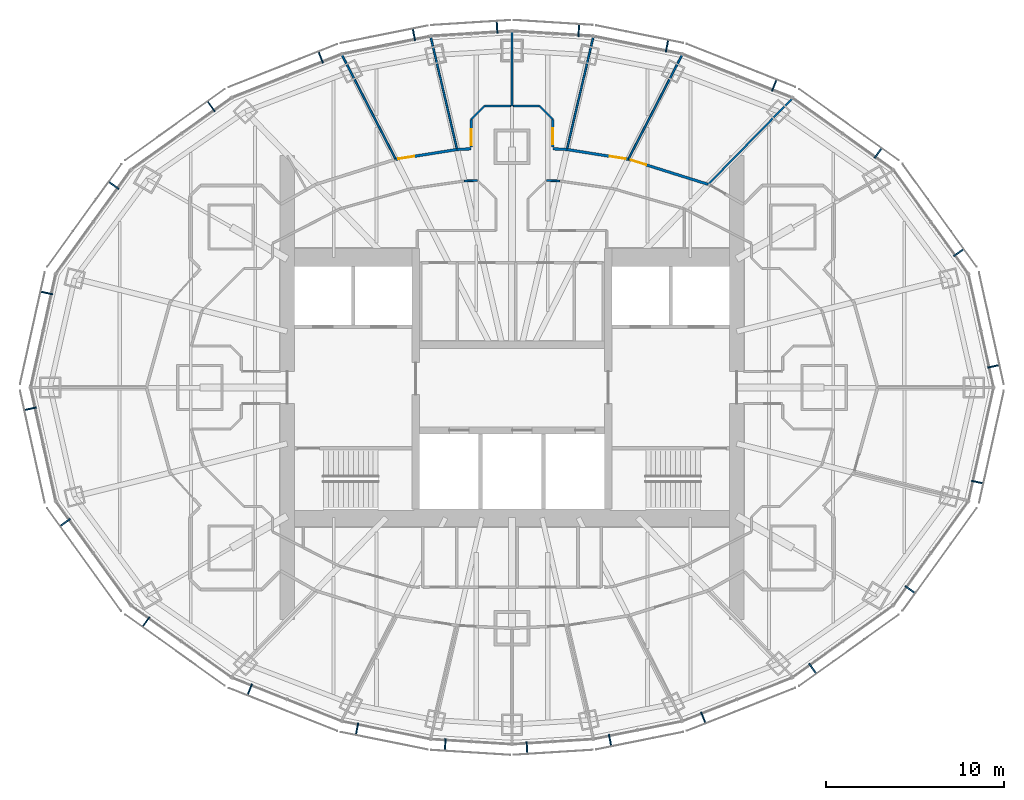
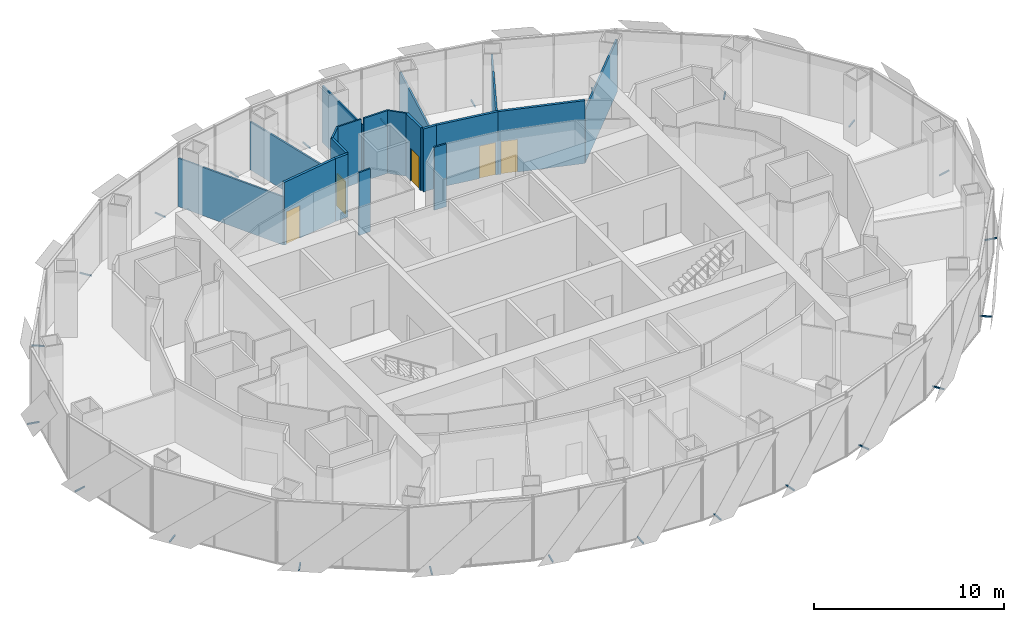
# One storey, part 15 of 18: 24 discrete accessories, 19 walls, 5 doors, 5 openings.
"""IFC4 building model written with IfcOpenShell, lengths in metres."""

from ifc_helpers import new_model, si_unit, direction, frame, frame_2d, origin, origin_2d, place, context, subcontext, project, spatial, rectangle, extrude, material, layer, layer_set, type_object, element, fill, save


model = new_model("IFC4")

# Units and contexts
model_context = context("Model", 3, precision=1e-05, world=origin(), true_north=direction((0.0, 1.0)))
body_context = subcontext(model_context, "Body", "Model", "MODEL_VIEW")
ifc_project = project(units=[si_unit("LENGTHUNIT", "METRE"), si_unit("AREAUNIT", "SQUARE_METRE"), si_unit("VOLUMEUNIT", "CUBIC_METRE"), si_unit("PLANEANGLEUNIT", "RADIAN"), si_unit("MASSUNIT", "GRAM", prefix="KILO")], contexts=[model_context])

# Site, building, storey
site_placement = place(None, origin())
site = spatial("IfcSite", under=ifc_project, at=site_placement, CompositionType="ELEMENT")
building_placement = place(site_placement, origin())
building = spatial("IfcBuilding", under=site, at=building_placement, Name="Lantaw Convention Tower", CompositionType="ELEMENT")
storey_placement = place(building_placement, frame((0.0, 0.0, 228.39990234375)))
storey = spatial("IfcBuildingStorey", under=building, at=storey_placement, Name="L53", CompositionType="ELEMENT", Elevation=228.39990234375)

# Wall, opening, door
ifc_material_1 = material(Name="Gypsum board on steel studs, fire rated", Category="steel")
ifc_layer_1 = layer(ifc_material_1, 0.14990234375)
ifc_layer_set_1 = layer_set([ifc_layer_1], Name="Corridor wall 150 EI 60")
wall_type_1 = type_object("IfcWallType", Name="Corridor wall 150 EI 60", PredefinedType="PARTITIONING", material=ifc_layer_set_1)
wall_1_placement = place(storey_placement, frame((11.000732421875, 11.3916015625, 0.0), z_axis=(0.0, 0.0, 1.0), x_axis=(-0.954031103669, 0.299707612903, 0.0)))
wall_1 = element("IfcWall", 1, at=wall_1_placement, inside=storey, type_object=wall_type_1, Name="Corridor wall 150", PredefinedType="PARTITIONING", context=body_context, shape_type="SweptSolid", body=[
    extrude(rectangle(XDim=4.6953125, YDim=0.14990234375, at=frame_2d((2.34765625, 0.0))), origin(), (0.0, 0.0, 1.0), 4.050048828125),
])
opening_1_placement = place(wall_1_placement, frame((3.645263671875, 0.0, 0.0)))
opening_1 = element("IfcOpeningElement", 2, at=opening_1_placement, cuts=wall_1, Name="Opening L53.30", PredefinedType="OPENING", context=body_context, shape_type="SweptSolid", body=[
    extrude(rectangle(XDim=0.89990234375, YDim=2.10009765625, at=frame_2d((0.449951171875, 1.050048828125))), frame((0.0, 0.0849609375, 0.0), z_axis=(0.0, -1.0, 0.0), x_axis=(1.0, 0.0, 0.0)), (0.0, 0.0, 1.0), 0.169921875),
])
ifc_material_2 = material(Name="Steel, fire rated", Category="steel")
door_type = type_object("IfcDoorType", Name="Office door 900 FD30", OperationType="SINGLE_SWING_LEFT", PredefinedType="DOOR", material=ifc_material_2)
door_1_placement = place(opening_1_placement, origin())
door_1 = element("IfcDoor", 3, at=door_1_placement, inside=storey, type_object=door_type, Name="Private office door", OperationType="SINGLE_SWING_LEFT", OverallHeight=2.10009765625, OverallWidth=0.89990234375, PredefinedType="DOOR", context=body_context, shape_type="SweptSolid", body=[
    extrude(rectangle(XDim=0.89990234375, YDim=2.10009765625, at=frame_2d((0.449951171875, 1.050048828125))), frame((0.0, 0.02490234375, 0.0), z_axis=(0.0, -1.0, 0.0), x_axis=(1.0, 0.0, 0.0)), (0.0, 0.0, 1.0), 0.050048828125),
])
fill(opening_1, door_1)

wall_2_placement = place(storey_placement, frame((6.521240234375, 12.798828125, 0.0), z_axis=(0.0, 0.0, 1.0), x_axis=(-0.987554093087, 0.157279729233, 0.0)))
wall_2 = element("IfcWall", 4, at=wall_2_placement, inside=storey, type_object=wall_type_1, Name="Corridor wall 150", PredefinedType="PARTITIONING", context=body_context, shape_type="SweptSolid", body=[
    extrude(rectangle(XDim=3.4833984375, YDim=0.14990234375, at=frame_2d((1.74169921875, 0.0))), origin(), (0.0, 0.0, 1.0), 4.050048828125),
])
opening_2_placement = place(wall_2_placement, frame((0.14990234375, 0.0, 0.0)))
opening_2 = element("IfcOpeningElement", 5, at=opening_2_placement, cuts=wall_2, Name="Opening L53.31", PredefinedType="OPENING", context=body_context, shape_type="SweptSolid", body=[
    extrude(rectangle(XDim=0.89990234375, YDim=2.10009765625, at=frame_2d((0.449951171875, 1.050048828125))), frame((0.0, 0.0849609375, 0.0), z_axis=(0.0, -1.0, 0.0), x_axis=(1.0, 0.0, 0.0)), (0.0, 0.0, 1.0), 0.169921875),
])
door_2_placement = place(opening_2_placement, origin())
door_2 = element("IfcDoor", 6, at=door_2_placement, inside=storey, type_object=door_type, Name="Private office door", OperationType="SINGLE_SWING_LEFT", OverallHeight=2.10009765625, OverallWidth=0.89990234375, PredefinedType="DOOR", context=body_context, shape_type="SweptSolid", body=[
    extrude(rectangle(XDim=0.89990234375, YDim=2.10009765625, at=frame_2d((0.449951171875, 1.050048828125))), frame((0.0, 0.02490234375, 0.0), z_axis=(0.0, -1.0, 0.0), x_axis=(1.0, 0.0, 0.0)), (0.0, 0.0, 1.0), 0.050048828125),
])
fill(opening_2, door_2)

wall_3_placement = place(storey_placement, frame((-3.081298828125, 13.3466796875, 0.0), z_axis=(0.0, 0.0, 1.0), x_axis=(-0.987554093087, -0.157279729233, 0.0)))
wall_3 = element("IfcWall", 7, at=wall_3_placement, inside=storey, type_object=wall_type_1, Name="Corridor wall 150", PredefinedType="PARTITIONING", context=body_context, shape_type="SweptSolid", body=[
    extrude(rectangle(XDim=3.4833984375, YDim=0.14990234375, at=frame_2d((1.74169921875, 0.0))), origin(), (0.0, 0.0, 1.0), 4.050048828125),
])
opening_3_placement = place(wall_3_placement, frame((2.433349609375, 0.0, 0.0)))
opening_3 = element("IfcOpeningElement", 8, at=opening_3_placement, cuts=wall_3, Name="Opening L53.34", PredefinedType="OPENING", context=body_context, shape_type="SweptSolid", body=[
    extrude(rectangle(XDim=0.89990234375, YDim=2.10009765625, at=frame_2d((0.449951171875, 1.050048828125))), frame((0.0, 0.0849609375, 0.0), z_axis=(0.0, -1.0, 0.0), x_axis=(1.0, 0.0, 0.0)), (0.0, 0.0, 1.0), 0.169921875),
])
door_3_placement = place(opening_3_placement, origin())
door_3 = element("IfcDoor", 9, at=door_3_placement, inside=storey, type_object=door_type, Name="Private office door", OperationType="SINGLE_SWING_LEFT", OverallHeight=2.10009765625, OverallWidth=0.89990234375, PredefinedType="DOOR", context=body_context, shape_type="SweptSolid", body=[
    extrude(rectangle(XDim=0.89990234375, YDim=2.10009765625, at=frame_2d((0.449951171875, 1.050048828125))), frame((0.0, 0.02490234375, 0.0), z_axis=(0.0, -1.0, 0.0), x_axis=(1.0, 0.0, 0.0)), (0.0, 0.0, 1.0), 0.050048828125),
])
fill(opening_3, door_3)

# Walls
for number, where, z_axis, x_axis, name in (
    (10, (3.081298828125, 13.3466796875, 0.0), (0.0, 0.0, 1.0), (-0.998768524691, 0.049612841959, 0.0), "Corridor wall 150"),
    (11, (-2.294921875, 13.3857421875, 0.0), (0.0, 0.0, 1.0), (-0.998768524691, -0.049612841959, 0.0), "Corridor wall 150"),
):
    element("IfcWall", number, at=place(storey_placement, frame(where, z_axis=z_axis, x_axis=x_axis)), inside=storey, type_object=wall_type_1, Name=name, PredefinedType="PARTITIONING", context=body_context, shape_type="SweptSolid", body=[
        extrude(rectangle(XDim=0.787353515625, YDim=0.14990234375, at=frame_2d((0.3935546875, 0.0))), origin(), (0.0, 0.0, 1.0), 4.050048828125),
    ])

# Wall, opening, door
wall_4_placement = place(storey_placement, frame((2.284912109375, 15.0322265625, 0.0), z_axis=(0.0, 0.0, 1.0), x_axis=(0.0, -1.0, 0.0)))
wall_4 = element("IfcWall", 12, at=wall_4_placement, inside=storey, type_object=wall_type_1, Name="Corridor wall 150", PredefinedType="PARTITIONING", context=body_context, shape_type="SweptSolid", body=[
    extrude(rectangle(XDim=1.544921875, YDim=0.14990234375, at=frame_2d((0.7724609375, 0.0))), origin(), (0.0, 0.0, 1.0), 4.050048828125),
])
opening_4_placement = place(wall_4_placement, frame((0.5, 0.0, 0.0)))
opening_4 = element("IfcOpeningElement", 13, at=opening_4_placement, cuts=wall_4, Name="Opening L53.32", PredefinedType="OPENING", context=body_context, shape_type="SweptSolid", body=[
    extrude(rectangle(XDim=0.89990234375, YDim=2.10009765625, at=frame_2d((0.449951171875, 1.050048828125))), frame((0.0, 0.0849609375, 0.0), z_axis=(0.0, -1.0, 0.0), x_axis=(1.0, 0.0, 0.0)), (0.0, 0.0, 1.0), 0.169921875),
])
door_4_placement = place(opening_4_placement, origin())
door_4 = element("IfcDoor", 14, at=door_4_placement, inside=storey, type_object=door_type, Name="Private office door", OperationType="SINGLE_SWING_LEFT", OverallHeight=2.10009765625, OverallWidth=0.89990234375, PredefinedType="DOOR", context=body_context, shape_type="SweptSolid", body=[
    extrude(rectangle(XDim=0.89990234375, YDim=2.10009765625, at=frame_2d((0.449951171875, 1.050048828125))), frame((0.0, 0.02490234375, 0.0), z_axis=(0.0, -1.0, 0.0), x_axis=(1.0, 0.0, 0.0)), (0.0, 0.0, 1.0), 0.050048828125),
])
fill(opening_4, door_4)

wall_5_placement = place(storey_placement, frame((-2.284912109375, 13.4873046875, 0.0), z_axis=(0.0, 0.0, 1.0), x_axis=(0.0, 1.0, 0.0)))
wall_5 = element("IfcWall", 15, at=wall_5_placement, inside=storey, type_object=wall_type_1, Name="Corridor wall 150", PredefinedType="PARTITIONING", context=body_context, shape_type="SweptSolid", body=[
    extrude(rectangle(XDim=1.544921875, YDim=0.14990234375, at=frame_2d((0.7724609375, 0.0))), origin(), (0.0, 0.0, 1.0), 4.050048828125),
])
opening_5_placement = place(wall_5_placement, frame((0.10009765625, 0.0, 0.0)))
opening_5 = element("IfcOpeningElement", 16, at=opening_5_placement, cuts=wall_5, Name="Opening L53.33", PredefinedType="OPENING", context=body_context, shape_type="SweptSolid", body=[
    extrude(rectangle(XDim=0.89990234375, YDim=2.10009765625, at=frame_2d((0.449951171875, 1.050048828125))), frame((0.0, 0.0849609375, 0.0), z_axis=(0.0, -1.0, 0.0), x_axis=(1.0, 0.0, 0.0)), (0.0, 0.0, 1.0), 0.169921875),
])
door_5_placement = place(opening_5_placement, origin())
door_5 = element("IfcDoor", 17, at=door_5_placement, inside=storey, type_object=door_type, Name="Private office door", OperationType="SINGLE_SWING_LEFT", OverallHeight=2.10009765625, OverallWidth=0.89990234375, PredefinedType="DOOR", context=body_context, shape_type="SweptSolid", body=[
    extrude(rectangle(XDim=0.89990234375, YDim=2.10009765625, at=frame_2d((0.449951171875, 1.050048828125))), frame((0.0, 0.02490234375, 0.0), z_axis=(0.0, -1.0, 0.0), x_axis=(1.0, 0.0, 0.0)), (0.0, 0.0, 1.0), 0.050048828125),
])
fill(opening_5, door_5)

# Walls
ifc_material_3 = material(Name="Gypsum board on steel studs, acoustic", Category="steel")
ifc_layer_2 = layer(ifc_material_3, 0.10009765625)
ifc_layer_set_2 = layer_set([ifc_layer_2], Name="Office partition 100")
wall_type_2 = type_object("IfcWallType", Name="Office partition 100", PredefinedType="PARTITIONING", material=ifc_layer_set_2)
wall_6_placement = place(storey_placement, frame((15.70947265625, 16.19873046875, 0.0), z_axis=(0.0, 0.0, 1.0), x_axis=(-0.699758297028, -0.71437967898, 0.0)))
element("IfcWall", 18, at=wall_6_placement, inside=storey, type_object=wall_type_2, Name="Office partition 100", PredefinedType="PARTITIONING", context=body_context, shape_type="SweptSolid", body=[
    extrude(rectangle(XDim=6.72900390625, YDim=0.10009765625, at=frame_2d((3.364501953125, 0.0))), origin(), (0.0, 0.0, 1.0), 3.409912109375),
])
wall_7_placement = place(storey_placement, frame((9.53955078125, 18.650390625, 0.0), z_axis=(0.0, 0.0, 1.0), x_axis=(-0.458420942987, -0.888735190611, 0.0)))
element("IfcWall", 19, at=wall_7_placement, inside=storey, type_object=wall_type_2, Name="Office partition 100", PredefinedType="PARTITIONING", context=body_context, shape_type="SweptSolid", body=[
    extrude(rectangle(XDim=6.584228515625, YDim=0.10009765625, at=frame_2d((3.2919921875, 0.0))), origin(), (0.0, 0.0, 1.0), 3.107666015625),
])
for number, where, z_axis, x_axis, name in (
    (20, (4.5556640625, 19.65673828125, 0.0), (0.0, 0.0, 1.0), (-0.227524978141, -0.973772244584, 0.0), "Office partition 100"),
    (21, (-4.5556640625, 19.65673828125, 0.0), (0.0, 0.0, 1.0), (0.227524978141, -0.973772244584, 0.0), "Office partition 100"),
):
    element("IfcWall", number, at=place(storey_placement, frame(where, z_axis=z_axis, x_axis=x_axis)), inside=storey, type_object=wall_type_2, Name=name, PredefinedType="PARTITIONING", context=body_context, shape_type="SweptSolid", body=[
        extrude(rectangle(XDim=6.47998046875, YDim=0.10009765625, at=frame_2d((3.239990234375, 0.0))), origin(), (0.0, 0.0, 1.0), 3.107666015625),
    ])
wall_8_placement = place(storey_placement, frame((-9.53955078125, 18.650390625, 0.0), z_axis=(0.0, 0.0, 1.0), x_axis=(0.458420942987, -0.888735190611, 0.0)))
element("IfcWall", 22, at=wall_8_placement, inside=storey, type_object=wall_type_2, Name="Office partition 100", PredefinedType="PARTITIONING", context=body_context, shape_type="SweptSolid", body=[
    extrude(rectangle(XDim=6.584228515625, YDim=0.10009765625, at=frame_2d((3.2919921875, 0.0))), origin(), (0.0, 0.0, 1.0), 3.107666015625),
])
wall_9_placement = place(storey_placement, frame((0.0, 19.94482421875, 0.0), z_axis=(0.0, 0.0, 1.0), x_axis=(0.0, -1.0, 0.0)))
element("IfcWall", 23, at=wall_9_placement, inside=storey, type_object=wall_type_2, Name="Office partition 100", PredefinedType="PARTITIONING", context=body_context, shape_type="SweptSolid", body=[
    extrude(rectangle(XDim=4.14990234375, YDim=0.10009765625, at=frame_2d((2.074951171875, 0.0))), origin(), (0.0, 0.0, 1.0), 3.646240234375),
])
for number, where, z_axis, x_axis, name in (
    (24, (1.944091796875, 11.612548828125, 0.0), (0.0, 0.0, 1.0), (0.99899525873, -0.04481599085, 0.0), "Office partition 100"),
    (25, (-2.67333984375, 11.579833984375, 0.0), (0.0, 0.0, 1.0), (0.99899525873, 0.04481599085, 0.0), "Office partition 100"),
):
    element("IfcWall", number, at=place(storey_placement, frame(where, z_axis=z_axis, x_axis=x_axis)), inside=storey, type_object=wall_type_2, Name=name, PredefinedType="PARTITIONING", context=body_context, shape_type="SweptSolid", body=[
        extrude(rectangle(XDim=0.72998046875, YDim=0.10009765625, at=frame_2d((0.364990234375, 0.0))), origin(), (0.0, 0.0, 1.0), 4.050048828125),
    ])
wall_10_placement = place(storey_placement, frame((0.078125, 15.784912109375, 0.0), z_axis=(0.0, 0.0, 1.0), x_axis=(1.0, 0.0, 0.0)))
element("IfcWall", 26, at=wall_10_placement, inside=storey, type_object=wall_type_2, Name="Office partition 100", PredefinedType="PARTITIONING", context=body_context, shape_type="SweptSolid", body=[
    extrude(rectangle(XDim=1.4541015625, YDim=0.10009765625, at=frame_2d((0.72705078125, 0.0))), origin(), (0.0, 0.0, 1.0), 4.050048828125),
])
for number, where, z_axis, x_axis, name in (
    (27, (1.5322265625, 15.784912109375, 0.0), (0.0, 0.0, 1.0), (0.707106781187, -0.707106781187, 0.0), "Office partition 100"),
    (28, (-2.284912109375, 15.0322265625, 0.0), (0.0, 0.0, 1.0), (0.707106781187, 0.707106781187, 0.0), "Office partition 100"),
):
    element("IfcWall", number, at=place(storey_placement, frame(where, z_axis=z_axis, x_axis=x_axis)), inside=storey, type_object=wall_type_2, Name=name, PredefinedType="PARTITIONING", context=body_context, shape_type="SweptSolid", body=[
        extrude(rectangle(XDim=1.064453125, YDim=0.10009765625, at=frame_2d((0.5322265625, 0.0))), origin(), (0.0, 0.0, 1.0), 4.050048828125),
    ])
wall_11_placement = place(storey_placement, frame((-1.5322265625, 15.784912109375, 0.0), z_axis=(0.0, 0.0, 1.0), x_axis=(1.0, 0.0, 0.0)))
element("IfcWall", 29, at=wall_11_placement, inside=storey, type_object=wall_type_2, Name="Office partition 100", PredefinedType="PARTITIONING", context=body_context, shape_type="SweptSolid", body=[
    extrude(rectangle(XDim=1.4541015625, YDim=0.10009765625, at=frame_2d((0.72705078125, 0.0))), origin(), (0.0, 0.0, 1.0), 4.050048828125),
])

# Discrete accessories
for number, where, z_axis, x_axis, name in (
    (30, (27.002197265625, 1.189453125, -0.114990234375), (0.0, 0.0, 1.0), (-0.215891333626, 0.976417396437, 0.0), "Screen bracket"),
    (31, (25.05419921875, 7.564453125, -0.114990234375), (0.0, 0.0, 1.0), (-0.585157643865, 0.810919559405, 0.0), "Screen bracket"),
    (32, (20.524169921875, 13.14453125, -0.114990234375), (0.0, 0.0, 1.0), (-0.813672540482, 0.581323487281, 0.0), "Screen bracket"),
    (33, (14.707763671875, 16.94140625, -0.114990234375), (0.0, 0.0, 1.0), (-0.929761533743, 0.368162315252, 0.0), "Screen bracket"),
    (34, (8.68896484375, 19.145751953125, -0.114990234375), (0.0, 0.0, 1.0), (-0.980366679695, 0.197183095987, 0.0), "Screen bracket"),
    (35, (3.743896484375, 20.024169921875, -0.114990234375), (0.0, 0.0, 1.0), (-0.998028774865, 0.062757983884, 0.0), "Screen bracket"),
    (36, (-0.83984375, 20.206787109375, -0.114990234375), (0.0, 0.0, 1.0), (-0.998028774865, -0.062757983884, 0.0), "Screen bracket"),
    (37, (-5.49853515625, 19.78759765625, -0.114990234375), (0.0, 0.0, 1.0), (-0.980366679695, -0.197183095987, 0.0), "Screen bracket"),
    (38, (-10.7255859375, 18.518310546875, -0.114990234375), (0.0, 0.0, 1.0), (-0.929761533743, -0.368162315252, 0.0), "Screen bracket"),
    (39, (-16.863525390625, 15.759765625, -0.114990234375), (0.0, 0.0, 1.0), (-0.813672540482, -0.581323487281, 0.0), "Screen bracket"),
    (40, (-22.333251953125, 11.3349609375, -0.114990234375), (0.0, 0.0, 1.0), (-0.585157643865, -0.810919559405, 0.0), "Screen bracket"),
    (41, (-26.0927734375, 5.302490234375, -0.114990234375), (0.0, 0.0, 1.0), (-0.215891333626, -0.976417396437, 0.0), "Screen bracket"),
    (42, (-27.002197265625, -1.189453125, -0.114990234375), (0.0, 0.0, 1.0), (0.215891333626, -0.976417396437, 0.0), "Screen bracket"),
    (43, (-25.05419921875, -7.564453125, -0.114990234375), (0.0, 0.0, 1.0), (0.585157643865, -0.810919559405, 0.0), "Screen bracket"),
    (44, (-20.524169921875, -13.14453125, -0.114990234375), (0.0, 0.0, 1.0), (0.813672540482, -0.581323487281, 0.0), "Screen bracket"),
    (45, (-14.707763671875, -16.94140625, -0.114990234375), (0.0, 0.0, 1.0), (0.929761533743, -0.368162315252, 0.0), "Screen bracket"),
    (46, (-8.68896484375, -19.145751953125, -0.114990234375), (0.0, 0.0, 1.0), (0.980366679695, -0.197183095987, 0.0), "Screen bracket"),
    (47, (-3.743896484375, -20.024169921875, -0.114990234375), (0.0, 0.0, 1.0), (0.998028774865, -0.062757983884, 0.0), "Screen bracket"),
    (48, (0.83984375, -20.206787109375, -0.114990234375), (0.0, 0.0, 1.0), (0.998028774865, 0.062757983884, 0.0), "Screen bracket"),
    (49, (5.49853515625, -19.78759765625, -0.114990234375), (0.0, 0.0, 1.0), (0.980366679695, 0.197183095987, 0.0), "Screen bracket"),
    (50, (10.7255859375, -18.518310546875, -0.114990234375), (0.0, 0.0, 1.0), (0.929761533743, 0.368162315252, 0.0), "Screen bracket"),
    (51, (16.863525390625, -15.759765625, -0.114990234375), (0.0, 0.0, 1.0), (0.813672540482, 0.581323487281, 0.0), "Screen bracket"),
    (52, (22.333251953125, -11.3349609375, -0.114990234375), (0.0, 0.0, 1.0), (0.585157643865, 0.810919559405, 0.0), "Screen bracket"),
    (53, (26.0927734375, -5.302490234375, -0.114990234375), (0.0, 0.0, 1.0), (0.215891333626, 0.976417396437, 0.0), "Screen bracket"),
):
    element("IfcDiscreteAccessory", number, at=place(storey_placement, frame(where, z_axis=z_axis, x_axis=x_axis)), inside=storey, Name=name, PredefinedType="BRACKET", context=body_context, shape_type="SweptSolid", body=[
        extrude(rectangle(XDim=0.080078125, YDim=0.68798828125, at=origin_2d()), origin(), (0.0, 0.0, 1.0), 0.080078125),
    ])

save(model, "model.ifc")
